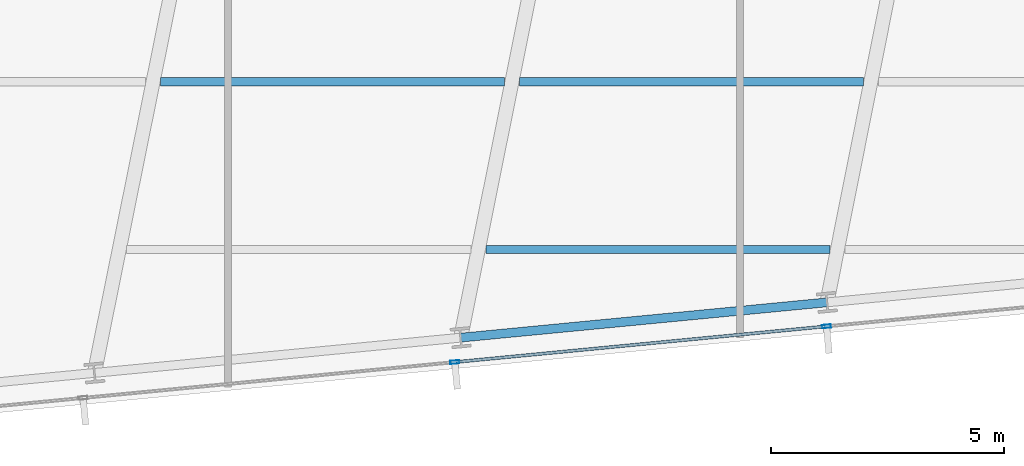
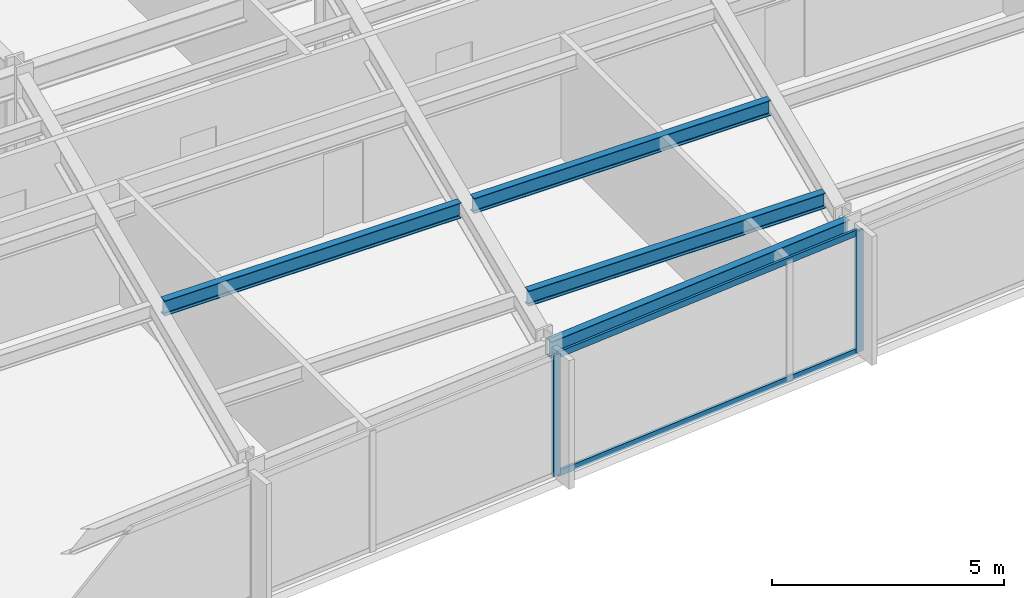
# One storey, part 4 of 33: 4 beams, 4 members, 1 element without a shape of its own.
"""IFC4 building model written with IfcOpenShell, lengths in metres."""

import ifcopenshell
import ifcopenshell.guid

model = None  # the IFC model being written
_history = None  # IfcOwnerHistory: only IFC2X3 demands one
_inside = {}  # id of a spatial element -> (the spatial element, [elements in it])
_under = {}  # id of a project, library or spatial element -> (it, [spatial elements below it])
_declared = {}  # id of a project -> (the project, [libraries it declares])
_typed = {}  # id of a type object -> (the type object, [elements of that type])
_made_of = {}  # id of a material, layer set ... -> (it, [elements and type objects made of it])


def new_model(schema):
    """Start an empty IFC model of exactly this schema.

    Asked for "IFC4X3", IfcOpenShell would pick the latest addendum, in which some entities
    have other attributes; the version numbers below select the first issue.
    IFC2X3 requires an IfcOwnerHistory on every rooted entity: one is made here for all.
    """
    global model, _history
    if schema == "IFC4X3":
        model = ifcopenshell.file(schema_version=(4, 3, 0, 0))
    else:
        model = ifcopenshell.file(schema=schema)
    _inside.clear()
    _under.clear()
    _declared.clear()
    _typed.clear()
    _made_of.clear()
    _history = None
    if model.schema == "IFC2X3":
        org = make("IfcOrganization", Name="unknown")
        user = make(
            "IfcPersonAndOrganization",
            ThePerson=make("IfcPerson", FamilyName="unknown"),
            TheOrganization=org,
        )
        app = make(
            "IfcApplication",
            ApplicationDeveloper=org,
            Version="unknown",
            ApplicationFullName="unknown",
            ApplicationIdentifier="unknown",
        )
        _history = make(
            "IfcOwnerHistory",
            OwningUser=user,
            OwningApplication=app,
            ChangeAction="ADDED",
            CreationDate=0,
        )
    return model


def make(cls, **values):
    """One entity of the class cls with the attributes given. An attribute that is None is left unset."""
    return model.create_entity(
        cls, **{name: value for name, value in values.items() if value is not None}
    )


def rooted(cls, **values):
    """An entity with a GlobalId (a new one), such as an element, a storey or a relation."""
    return make(cls, GlobalId=ifcopenshell.guid.new(), OwnerHistory=_history, **values)


def si_unit(unit_type, name, prefix=None):
    """IfcSIUnit, for example si_unit("LENGTHUNIT", "METRE", prefix="MILLI")."""
    return make("IfcSIUnit", UnitType=unit_type, Prefix=prefix, Name=name)


def assignment(units):
    """IfcUnitAssignment: the units of a project."""
    return None if units is None else make("IfcUnitAssignment", Units=units)


def point(xyz):
    """IfcCartesianPoint."""
    return None if xyz is None else make("IfcCartesianPoint", Coordinates=xyz)


def direction(xyz):
    """IfcDirection."""
    return None if xyz is None else make("IfcDirection", DirectionRatios=xyz)


def frame(location, z_axis=None, x_axis=None):
    """IfcAxis2Placement3D, a coordinate frame: its origin and axes. An axis left out is left unset."""
    return make(
        "IfcAxis2Placement3D",
        Location=point(location),
        Axis=direction(z_axis),
        RefDirection=direction(x_axis),
    )


def frame_2d(location, x_axis=None):
    """IfcAxis2Placement2D, a coordinate frame in the plane: its origin and x axis."""
    return make(
        "IfcAxis2Placement2D", Location=point(location), RefDirection=direction(x_axis)
    )


def origin():
    """The frame at (0, 0, 0) with its axes left unset."""
    return frame((0.0, 0.0, 0.0))


def origin_2d():
    """The frame at (0, 0) in the plane with its x axis left unset."""
    return frame_2d((0.0, 0.0))


def place(relative_to, where):
    """IfcLocalPlacement: puts the frame where relative to a parent placement (None: the world)."""
    return make(
        "IfcLocalPlacement", PlacementRelTo=relative_to, RelativePlacement=where
    )


def context(
    kind, dimensions, precision=None, world=None, true_north=None, identifier=None
):
    """IfcGeometricRepresentationContext, for example the 3D "Model" context."""
    return make(
        "IfcGeometricRepresentationContext",
        ContextIdentifier=identifier,
        ContextType=kind,
        CoordinateSpaceDimension=dimensions,
        Precision=precision,
        WorldCoordinateSystem=world,
        TrueNorth=true_north,
    )


def subcontext(parent, identifier, kind, view, scale=None):
    """IfcGeometricRepresentationSubContext, for example "Body" below "Model"."""
    return make(
        "IfcGeometricRepresentationSubContext",
        ContextIdentifier=identifier,
        ContextType=kind,
        ParentContext=parent,
        TargetScale=scale,
        TargetView=view,
    )


def project(units=None, contexts=None):
    """IfcProject with its units and contexts."""
    return rooted(
        "IfcProject",
        Name="project",
        RepresentationContexts=contexts,
        UnitsInContext=assignment(units),
    )


def spatial(cls, under=None, at=None, **own):
    """A site, building, storey or space (cls), placed at a placement, below another one or the project."""
    s = rooted(cls, ObjectPlacement=at, **own)
    if under is not None:
        _under.setdefault(under.id(), (under, []))[1].append(s)
    return s


def profile(cls, at=None, kind="AREA", **sizes):
    """A parametric profile (cls). Its sizes go by their IFC names, for example OverallWidth=200.0."""
    return make(cls, ProfileType=kind, Position=at, **sizes)


def hollow_rectangle(**sizes):
    """IfcRectangleHollowProfileDef."""
    return profile("IfcRectangleHollowProfileDef", **sizes)


def i_section(**sizes):
    """IfcIShapeProfileDef."""
    return profile("IfcIShapeProfileDef", **sizes)


def extrude(swept, where, along, depth):
    """IfcExtrudedAreaSolid: the profile swept, set in the frame where, extruded along a direction by depth."""
    return make(
        "IfcExtrudedAreaSolid",
        SweptArea=swept,
        Position=where,
        ExtrudedDirection=direction(along),
        Depth=depth,
    )


def shape(context_of_items, identifier, shape_type, items):
    """IfcShapeRepresentation: the items that make up one representation, for example the "Body"."""
    return make(
        "IfcShapeRepresentation",
        ContextOfItems=context_of_items,
        RepresentationIdentifier=identifier,
        RepresentationType=shape_type,
        Items=items,
    )


def material(Name=None, Category=None):
    """IfcMaterial."""
    return make("IfcMaterial", Name=Name, Category=Category)


def material_profile(
    of_material, cross_section, Name=None, Category=None, Priority=None
):
    """IfcMaterialProfile: a cross section and its material."""
    return make(
        "IfcMaterialProfile",
        Name=Name,
        Material=of_material,
        Profile=cross_section,
        Priority=Priority,
        Category=Category,
    )


def profile_set(profiles, Name=None, composite=None):
    """IfcMaterialProfileSet."""
    return make(
        "IfcMaterialProfileSet",
        Name=Name,
        MaterialProfiles=profiles,
        CompositeProfile=composite,
    )


def made_of(thing, what):
    """Note that an element or type object is made of a material, layer set ...; save() writes the relation."""
    if what is not None:
        _made_of.setdefault(what.id(), (what, []))[1].append(thing)
    return thing


def type_object(cls, material=None, **own):
    """A type object (cls), such as IfcWallType, which elements share."""
    return made_of(rooted(cls, **own), material)


def element(
    cls,
    number,
    at=None,
    inside=None,
    cuts=None,
    type_object=None,
    material=None,
    context=None,
    identifier="Body",
    shape_type=None,
    held_by="IfcProductDefinitionShape",
    body=None,
    shapes=None,
    **own,
):
    """One element of the class cls, such as IfcWall. Its Tag is "e" and its number.

    at: its placement. inside: the storey or other place that contains it. cuts: it is an
    opening in that element (IfcRelVoidsElement). A single representation is given by context,
    identifier, shape_type and body (its items); several are given by shapes. held_by: the class
    of the entity that holds the representations. save() writes the other relations.
    """
    e = rooted(cls, Tag="e%d" % number, ObjectPlacement=at, **own)
    if body is not None:
        shapes = [shape(context, identifier, shape_type, body)]
    if shapes is not None:
        e.Representation = make(held_by, Representations=shapes)
    if inside is not None:
        _inside.setdefault(inside.id(), (inside, []))[1].append(e)
    if cuts is not None:
        rooted(
            "IfcRelVoidsElement", RelatingBuildingElement=cuts, RelatedOpeningElement=e
        )
    if type_object is not None:
        _typed.setdefault(type_object.id(), (type_object, []))[1].append(e)
    return made_of(e, material)


def aggregate(whole, parts):
    """IfcRelAggregates: a whole, such as a stair, and the parts it consists of."""
    return rooted("IfcRelAggregates", RelatingObject=whole, RelatedObjects=parts)


def save(model, path):
    """Write the relations noted so far, then the file.

    IfcRelAggregates (storeys below a building ...), IfcRelContainedInSpatialStructure (elements
    in a storey), IfcRelDefinesByType, IfcRelAssociatesMaterial and IfcRelDeclares: one each for
    every whole, place, type object, material and project.
    """
    for whole, parts in _under.values():
        aggregate(whole, parts)
    for where, things in _inside.values():
        rooted(
            "IfcRelContainedInSpatialStructure",
            RelatedElements=things,
            RelatingStructure=where,
        )
    for kind, things in _typed.values():
        rooted("IfcRelDefinesByType", RelatedObjects=things, RelatingType=kind)
    for what, things in _made_of.values():
        rooted("IfcRelAssociatesMaterial", RelatedObjects=things, RelatingMaterial=what)
    for by, libraries in _declared.values():
        rooted("IfcRelDeclares", RelatingContext=by, RelatedDefinitions=libraries)
    model.write(path)


model = new_model("IFC4")

# Units and contexts
model_context = context("Model", 3, precision=1e-05, world=origin(), true_north=direction((0.0, 1.0)))
body_context = subcontext(model_context, "Body", "Model", "MODEL_VIEW")
ifc_project = project(units=[si_unit("LENGTHUNIT", "METRE"), si_unit("AREAUNIT", "SQUARE_METRE"), si_unit("VOLUMEUNIT", "CUBIC_METRE"), si_unit("PLANEANGLEUNIT", "RADIAN"), si_unit("MASSUNIT", "GRAM", prefix="KILO")], contexts=[model_context])

# Site, building, storey
site_placement = place(None, origin())
site = spatial("IfcSite", under=ifc_project, at=site_placement, CompositionType="ELEMENT")
building_placement = place(site_placement, origin())
building = spatial("IfcBuilding", under=site, at=building_placement, Name="Yelkora Congress Tower", CompositionType="ELEMENT")
storey_placement = place(building_placement, frame((0.0, 0.0, 127.10009765625)))
storey = spatial("IfcBuildingStorey", under=building, at=storey_placement, Name="L34", CompositionType="ELEMENT", Elevation=127.10009765625)

# Beams
ifc_material_1 = material(Name="Steel S355J2", Category="steel")
ifc_material_profile_1 = material_profile(ifc_material_1, i_section(OverallWidth=0.179931640625, OverallDepth=0.39990234375, WebThickness=0.008544921875, FlangeThickness=0.013427734375, FilletRadius=0.02099609375, at=origin_2d()), Name="IPE 400")
ifc_profile_set_1 = profile_set([ifc_material_profile_1], Name="Steel S355J2")
beam_type_1 = type_object("IfcBeamType", Name="BM-JOIST-IPE400", PredefinedType="JOIST", material=ifc_profile_set_1)
beam_1_placement = place(storey_placement, frame((36.023193359375, 12.54443359375, 2.97998046875), z_axis=(1.0, 0.0, 0.0), x_axis=(0.0, 1.0, 0.0)))
element("IfcBeam", 1, at=beam_1_placement, inside=storey, type_object=beam_type_1, Name="L34 Composite Floor Joist 2", PredefinedType="JOIST", context=body_context, shape_type="SweptSolid", body=[
    extrude(i_section(OverallWidth=0.179931640625, OverallDepth=0.39990234375, WebThickness=0.008544921875, FlangeThickness=0.013427734375, FilletRadius=0.02099609375, at=origin_2d()), origin(), (0.0, 0.0, 1.0), 7.37646484375),
])
beam_2_placement = place(storey_placement, frame((29.05419921875, 16.144287109375, 2.97998046875), z_axis=(1.0, 0.0, 0.0), x_axis=(0.0, 1.0, 0.0)))
element("IfcBeam", 2, at=beam_2_placement, inside=storey, type_object=beam_type_1, Name="L34 Composite Floor Joist 5", PredefinedType="JOIST", context=body_context, shape_type="SweptSolid", body=[
    extrude(i_section(OverallWidth=0.179931640625, OverallDepth=0.39990234375, WebThickness=0.008544921875, FlangeThickness=0.013427734375, FilletRadius=0.02099609375, at=origin_2d()), origin(), (0.0, 0.0, 1.0), 7.37060546875),
])
beam_3_placement = place(storey_placement, frame((36.744873046875, 16.144287109375, 2.97998046875), z_axis=(1.0, 0.0, 0.0), x_axis=(0.0, 1.0, 0.0)))
element("IfcBeam", 3, at=beam_3_placement, inside=storey, type_object=beam_type_1, Name="L34 Composite Floor Joist 6", PredefinedType="JOIST", context=body_context, shape_type="SweptSolid", body=[
    extrude(i_section(OverallWidth=0.179931640625, OverallDepth=0.39990234375, WebThickness=0.008544921875, FlangeThickness=0.013427734375, FilletRadius=0.02099609375, at=origin_2d()), origin(), (0.0, 0.0, 1.0), 7.371826171875),
])
ifc_material_profile_2 = material_profile(ifc_material_1, i_section(OverallWidth=0.18994140625, OverallDepth=0.449951171875, WebThickness=0.009521484375, FlangeThickness=0.0146484375, FilletRadius=0.02099609375, at=origin_2d()), Name="IPE 450")
ifc_profile_set_2 = profile_set([ifc_material_profile_2], Name="Steel S355J2")
beam_type_2 = type_object("IfcBeamType", Name="BM-SPAN-IPE450", PredefinedType="SPANDREL", material=ifc_profile_set_2)
beam_4_placement = place(storey_placement, frame((35.48486328125, 10.656005859375, 2.954833984375), z_axis=(0.995395575667, 0.095852219286, 0.0), x_axis=(-0.095852219286, 0.995395575667, 0.0)))
element("IfcBeam", 4, at=beam_4_placement, inside=storey, type_object=beam_type_2, Name="L34 Perimeter Beam 5", PredefinedType="SPANDREL", context=body_context, shape_type="SweptSolid", body=[
    extrude(i_section(OverallWidth=0.18994140625, OverallDepth=0.449951171875, WebThickness=0.009521484375, FlangeThickness=0.0146484375, FilletRadius=0.02099609375, at=origin_2d()), origin(), (0.0, 0.0, 1.0), 7.8857421875),
])

# Curtain wall, members
ifc_material_2 = material(Name="Anodised aluminium and insulated glass", Category="aluminium")
curtain_wall_type = type_object("IfcCurtainWallType", Name="CW-SYS-B2", PredefinedType="NOTDEFINED", material=ifc_material_2)
curtain_wall_placement = place(storey_placement, origin())
curtain_wall = element("IfcCurtainWall", 5, at=curtain_wall_placement, inside=storey, type_object=curtain_wall_type, Name="L34 Unitised Curtain Wall 20", PredefinedType="NOTDEFINED")
ifc_material_3 = material(Name="Anodised aluminium 6063-T6", Category="aluminium")
ifc_material_profile_3 = material_profile(ifc_material_3, hollow_rectangle(XDim=0.070068359375, YDim=0.18994140625, WallThickness=0.00390625, at=origin_2d()), Name="ALU 70x190x4")
ifc_profile_set_3 = profile_set([ifc_material_profile_3], Name="Anodised aluminium 6063-T6")
member_type_1 = type_object("IfcMemberType", Name="MEM-ML-B2", PredefinedType="MULLION", material=ifc_profile_set_3)
member_1_placement = place(storey_placement, frame((43.32470703125, 10.898681640625, 0.0), z_axis=(0.0, 0.0, 1.0), x_axis=(0.095844345816, -0.995396333816, 0.0)))
member_1 = element("IfcMember", 6, at=member_1_placement, type_object=member_type_1, Name="CW-B2 mullion 5", PredefinedType="MULLION", context=body_context, shape_type="SweptSolid", body=[
    extrude(hollow_rectangle(XDim=0.070068359375, YDim=0.18994140625, WallThickness=0.00390625, at=origin_2d()), origin(), (0.0, 0.0, 1.0), 3.179931640625),
])
member_2_placement = place(storey_placement, frame((35.358642578125, 10.131591796875, 0.0), z_axis=(0.0, 0.0, 1.0), x_axis=(0.095844345816, -0.995396333816, 0.0)))
member_2 = element("IfcMember", 7, at=member_2_placement, type_object=member_type_1, Name="CW-B2 mullion 6", PredefinedType="MULLION", context=body_context, shape_type="SweptSolid", body=[
    extrude(hollow_rectangle(XDim=0.070068359375, YDim=0.18994140625, WallThickness=0.00390625, at=origin_2d()), origin(), (0.0, 0.0, 1.0), 3.179931640625),
])
ifc_material_profile_4 = material_profile(ifc_material_3, hollow_rectangle(XDim=0.06494140625, YDim=0.159912109375, WallThickness=0.00390625, at=origin_2d()), Name="ALU 65x160x4")
ifc_profile_set_4 = profile_set([ifc_material_profile_4], Name="Anodised aluminium 6063-T6")
member_type_2 = type_object("IfcMemberType", Name="MEM-TR-B2", PredefinedType="USERDEFINED", material=ifc_profile_set_4)
member_3_placement = place(storey_placement, frame((43.289794921875, 10.895263671875, 0.032470703125), z_axis=(-0.995397010735, -0.095837315383, 0.0), x_axis=(0.095837315383, -0.995397010735, 0.0)))
member_3 = element("IfcMember", 8, at=member_3_placement, type_object=member_type_2, Name="CW-B2 transom 5.1", ObjectType="TRANSOM", PredefinedType="USERDEFINED", context=body_context, shape_type="SweptSolid", body=[
    extrude(hollow_rectangle(XDim=0.06494140625, YDim=0.159912109375, WallThickness=0.00390625, at=origin_2d()), origin(), (0.0, 0.0, 1.0), 7.932861328125),
])
member_4_placement = place(storey_placement, frame((43.289794921875, 10.895263671875, 3.1474609375), z_axis=(-0.995397010735, -0.095837315383, 0.0), x_axis=(0.095837315383, -0.995397010735, 0.0)))
member_4 = element("IfcMember", 9, at=member_4_placement, type_object=member_type_2, Name="CW-B2 transom 5.2", ObjectType="TRANSOM", PredefinedType="USERDEFINED", context=body_context, shape_type="SweptSolid", body=[
    extrude(hollow_rectangle(XDim=0.06494140625, YDim=0.159912109375, WallThickness=0.00390625, at=origin_2d()), origin(), (0.0, 0.0, 1.0), 7.932861328125),
])
aggregate(curtain_wall, [member_1, member_2, member_3, member_4])

save(model, "model.ifc")
